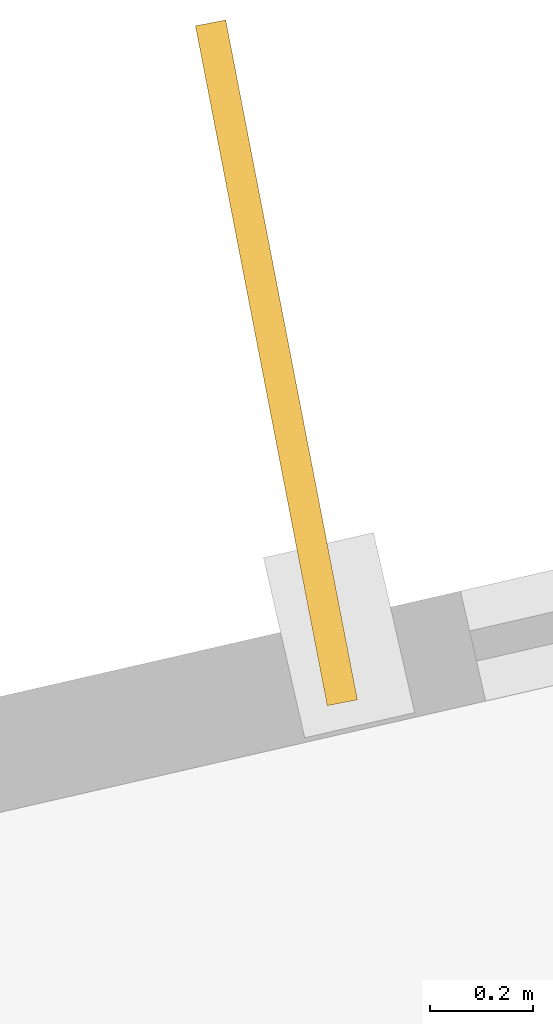
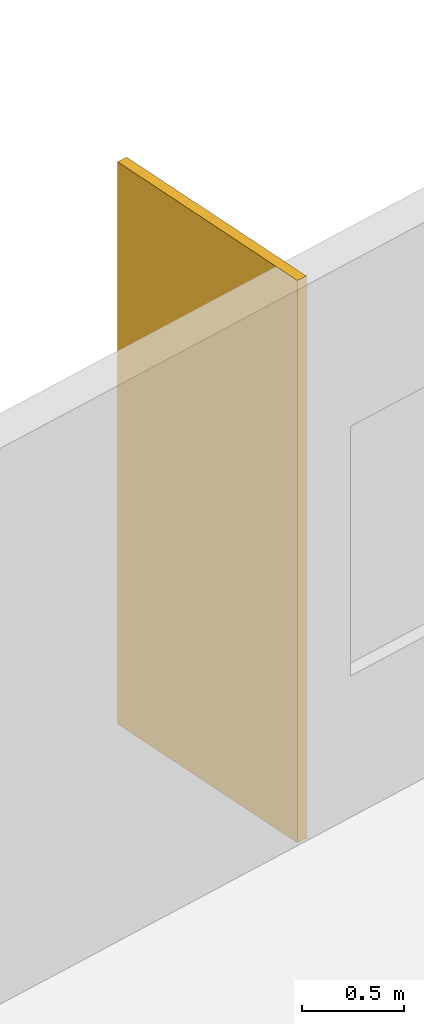
# One storey, part 8 of 8: 1 shading device.
"""IFC4 building model written with IfcOpenShell, lengths in metres."""

from ifc_helpers import new_model, si_unit, direction, frame, origin, origin_2d, place, context, subcontext, project, spatial, rectangle, extrude, material, layer, layer_set, type_object, element, save


model = new_model("IFC4")

# Units and contexts
model_context = context("Model", 3, precision=1e-05, world=origin(), true_north=direction((0.0, 1.0)))
body_context = subcontext(model_context, "Body", "Model", "MODEL_VIEW")
ifc_project = project(units=[si_unit("LENGTHUNIT", "METRE"), si_unit("AREAUNIT", "SQUARE_METRE"), si_unit("VOLUMEUNIT", "CUBIC_METRE"), si_unit("PLANEANGLEUNIT", "RADIAN"), si_unit("MASSUNIT", "GRAM", prefix="KILO")], contexts=[model_context])

# Site, building, storey
site_placement = place(None, origin())
site = spatial("IfcSite", under=ifc_project, at=site_placement, CompositionType="ELEMENT")
building_placement = place(site_placement, origin())
building = spatial("IfcBuilding", under=site, at=building_placement, Name="Solmarez Civic Tower", CompositionType="ELEMENT")
storey_placement = place(building_placement, frame((0.0, 0.0, 123.47998046875)))
storey = spatial("IfcBuildingStorey", under=building, at=storey_placement, Name="L32", CompositionType="ELEMENT", Elevation=123.47998046875)

# Shading device
ifc_material = material(Name="Bronze Anodised Aluminium EN AW-6063 T6", Category="aluminium")
ifc_layer = layer(ifc_material, 0.06005859375)
ifc_layer_set = layer_set([ifc_layer], Name="Bronze Anodised Aluminium EN AW-6063 T6")
shading_device_type = type_object("IfcShadingDeviceType", Name="FIN-BRONZE-Z34", PredefinedType="USERDEFINED", material=ifc_layer_set)
shading_device_placement = place(storey_placement, frame((-4.447021484375, 27.0029296875, -0.0400390625), z_axis=(0.0, 0.0, 1.0), x_axis=(-0.190243587089, 0.981736918717, 0.0)))
element("IfcShadingDevice", 1, at=shading_device_placement, inside=storey, type_object=shading_device_type, Name="L32 Anodised Bronze Solar Fin FIN-L32-04", ObjectType="FIN", PredefinedType="USERDEFINED", context=body_context, shape_type="SweptSolid", body=[
    extrude(rectangle(XDim=1.35009765625, YDim=0.06005859375, at=origin_2d()), origin(), (0.0, 0.0, 1.0), 3.3798828125),
])

save(model, "model.ifc")
